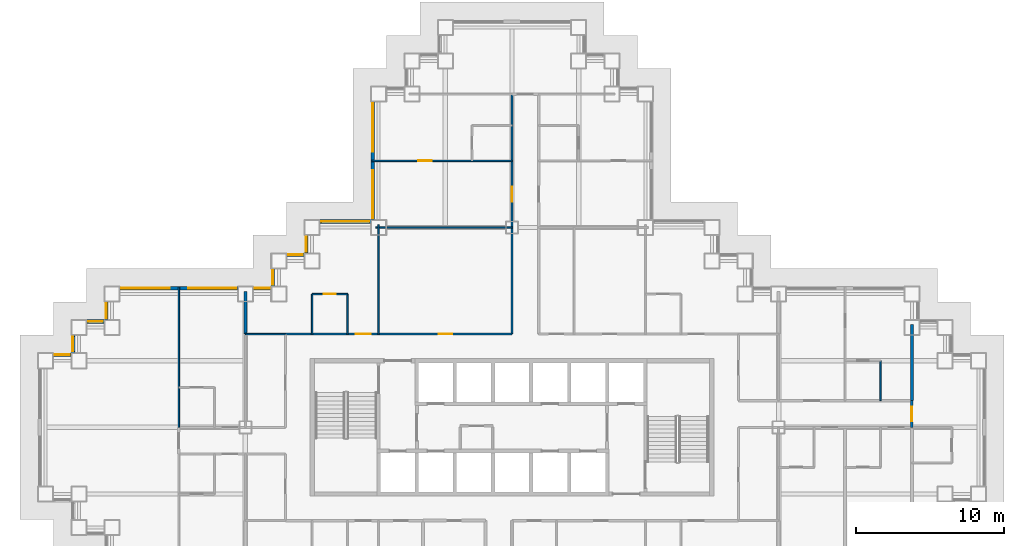
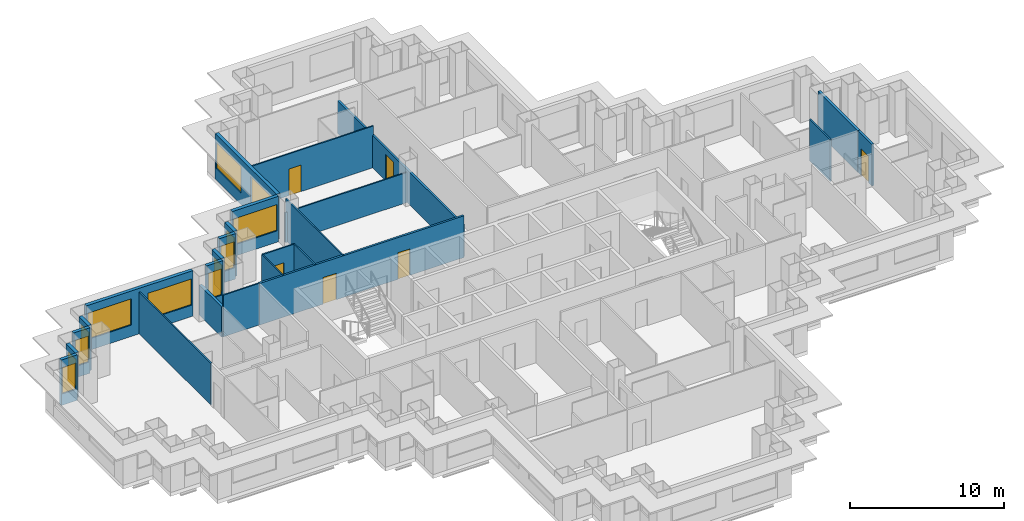
# One storey, part 7 of 14: 25 walls, 13 windows, 6 doors, 19 openings.
"""IFC4 building model written with IfcOpenShell, lengths in metres."""

from ifc_helpers import new_model, si_unit, direction, frame, frame_2d, origin, place, context, subcontext, project, spatial, rectangle, extrude, material, layer, layer_set, type_object, element, fill, save


model = new_model("IFC4")

# Units and contexts
model_context = context("Model", 3, precision=1e-05, world=origin(), true_north=direction((0.0, 1.0)))
body_context = subcontext(model_context, "Body", "Model", "MODEL_VIEW")
ifc_project = project(units=[si_unit("LENGTHUNIT", "METRE"), si_unit("AREAUNIT", "SQUARE_METRE"), si_unit("VOLUMEUNIT", "CUBIC_METRE"), si_unit("PLANEANGLEUNIT", "RADIAN"), si_unit("MASSUNIT", "GRAM", prefix="KILO")], contexts=[model_context])

# Site, building, storey
site_placement = place(None, origin())
site = spatial("IfcSite", under=ifc_project, at=site_placement, CompositionType="ELEMENT")
building_placement = place(site_placement, origin())
building = spatial("IfcBuilding", under=site, at=building_placement, Name="Caravel Reach Hotel and Residences", CompositionType="ELEMENT")
storey_placement = place(building_placement, frame((0.0, 0.0, 40.800048828125)))
storey = spatial("IfcBuildingStorey", under=building, at=storey_placement, Name="L08", CompositionType="ELEMENT", Elevation=40.800048828125)

# Wall, opening, door
ifc_material_1 = material(Name="Gypsum board on steel stud", Category="steel")
ifc_layer_1 = layer(ifc_material_1, 0.10009765625)
ifc_layer_set_1 = layer_set([ifc_layer_1], Name="Bathroom pod wall 100 mm")
wall_type_1 = type_object("IfcWallType", Name="Bathroom pod wall 100 mm", PredefinedType="PARTITIONING", material=ifc_layer_set_1)
wall_1_placement = place(storey_placement, frame((18.0, 36.0, 0.0), z_axis=(0.0, 0.0, 1.0), x_axis=(1.0, 0.0, 0.0)))
wall_1 = element("IfcWall", 1, at=wall_1_placement, inside=storey, type_object=wall_type_1, Name="L08 wall w085", PredefinedType="PARTITIONING", context=body_context, shape_type="SweptSolid", body=[
    extrude(rectangle(XDim=2.39990234375, YDim=0.10009765625, at=frame_2d((1.199951171875, 0.0))), origin(), (0.0, 0.0, 1.0), 3.300048828125),
])
opening_1_placement = place(wall_1_placement, frame((0.800048828125, 0.0, 0.0)))
opening_1 = element("IfcOpeningElement", 2, at=opening_1_placement, cuts=wall_1, Name="Opening D08-042", PredefinedType="OPENING", context=body_context, shape_type="SweptSolid", body=[
    extrude(rectangle(XDim=0.800048828125, YDim=2.10009765625, at=frame_2d((0.39990234375, 1.050048828125))), frame((0.0, 0.06005859375, 0.0), z_axis=(0.0, -1.0, 0.0), x_axis=(1.0, 0.0, 0.0)), (0.0, 0.0, 1.0), 0.1201171875),
])
ifc_material_2 = material(Name="Timber and steel door leaf", Category="steel")
door_type_1 = type_object("IfcDoorType", Name="Bathroom door 800 x 2100", OperationType="SINGLE_SWING_LEFT", PredefinedType="DOOR", material=ifc_material_2)
door_1_placement = place(opening_1_placement, origin())
door_1 = element("IfcDoor", 3, at=door_1_placement, inside=storey, type_object=door_type_1, Name="door D08-042", OperationType="SINGLE_SWING_RIGHT", OverallHeight=2.10009765625, OverallWidth=0.800048828125, PredefinedType="DOOR", context=body_context, shape_type="SweptSolid", body=[
    extrude(rectangle(XDim=0.800048828125, YDim=2.10009765625, at=frame_2d((0.39990234375, 1.050048828125))), frame((0.0, 0.02490234375, 0.0), z_axis=(0.0, -1.0, 0.0), x_axis=(1.0, 0.0, 0.0)), (0.0, 0.0, 1.0), 0.050048828125),
])
fill(opening_1, door_1)

# Walls
for number, where, z_axis, x_axis, name in (
    (4, (18.0, 33.300048828125, 0.0), (0.0, 0.0, 1.0), (0.0, 1.0, 0.0), "L08 wall w091"),
    (5, (20.39990234375, 33.300048828125, 0.0), (0.0, 0.0, 1.0), (0.0, 1.0, 0.0), "L08 wall w093"),
    (6, (56.39990234375, 28.800048828125, 0.0), (0.0, 0.0, 1.0), (0.0, 1.0, 0.0), "L08 wall w103"),
):
    element("IfcWall", number, at=place(storey_placement, frame(where, z_axis=z_axis, x_axis=x_axis)), inside=storey, type_object=wall_type_1, Name=name, PredefinedType="PARTITIONING", context=body_context, shape_type="SweptSolid", body=[
        extrude(rectangle(XDim=2.699951171875, YDim=0.10009765625, at=frame_2d((1.35009765625, 0.0))), origin(), (0.0, 0.0, 1.0), 3.300048828125),
    ])

# Wall, openings, doors
ifc_material_3 = material(Name="Gypsum board on steel stud, fire-rated", Category="steel")
ifc_layer_2 = layer(ifc_material_3, 0.14990234375)
ifc_layer_set_2 = layer_set([ifc_layer_2], Name="Corridor wall 150 mm EI 60")
wall_type_2 = type_object("IfcWallType", Name="Corridor wall 150 mm EI 60", PredefinedType="PARTITIONING", material=ifc_layer_set_2)
wall_2_placement = place(storey_placement, frame((16.199951171875, 33.300048828125, 0.0), z_axis=(0.0, 0.0, 1.0), x_axis=(1.0, 0.0, 0.0)))
wall_2 = element("IfcWall", 7, at=wall_2_placement, inside=storey, type_object=wall_type_2, Name="L08 wall w016", PredefinedType="PARTITIONING", context=body_context, shape_type="SweptSolid", body=[
    extrude(rectangle(XDim=15.300048828125, YDim=0.14990234375, at=frame_2d((7.64990234375, 0.0))), origin(), (0.0, 0.0, 1.0), 3.300048828125),
])
opening_2_placement = place(wall_2_placement, frame((4.75, 0.0, 0.0)))
opening_2 = element("IfcOpeningElement", 8, at=opening_2_placement, cuts=wall_2, Name="Opening D08-041", PredefinedType="OPENING", context=body_context, shape_type="SweptSolid", body=[
    extrude(rectangle(XDim=1.0, YDim=2.10009765625, at=frame_2d((0.5, 1.050048828125))), frame((0.0, 0.0849609375, 0.0), z_axis=(0.0, -1.0, 0.0), x_axis=(1.0, 0.0, 0.0)), (0.0, 0.0, 1.0), 0.169921875),
])
opening_3_placement = place(wall_2_placement, frame((10.35009765625, 0.0, 0.0)))
opening_3 = element("IfcOpeningElement", 9, at=opening_3_placement, cuts=wall_2, Name="Opening D08-049", PredefinedType="OPENING", context=body_context, shape_type="SweptSolid", body=[
    extrude(rectangle(XDim=0.89990234375, YDim=2.10009765625, at=frame_2d((0.449951171875, 1.050048828125))), frame((0.0, 0.0849609375, 0.0), z_axis=(0.0, -1.0, 0.0), x_axis=(1.0, 0.0, 0.0)), (0.0, 0.0, 1.0), 0.169921875),
])
ifc_material_4 = material(Name="Timber and steel door leaf", Category="steel")
door_type_2 = type_object("IfcDoorType", Name="Door 900 x 2100 timber", OperationType="SINGLE_SWING_LEFT", PredefinedType="DOOR", material=ifc_material_4)
door_2_placement = place(opening_3_placement, origin())
door_2 = element("IfcDoor", 10, at=door_2_placement, inside=storey, type_object=door_type_2, Name="door D08-049", OperationType="SINGLE_SWING_RIGHT", OverallHeight=2.10009765625, OverallWidth=0.89990234375, PredefinedType="DOOR", context=body_context, shape_type="SweptSolid", body=[
    extrude(rectangle(XDim=0.89990234375, YDim=2.10009765625, at=frame_2d((0.449951171875, 1.050048828125))), frame((0.0, 0.02490234375, 0.0), z_axis=(0.0, -1.0, 0.0), x_axis=(1.0, 0.0, 0.0)), (0.0, 0.0, 1.0), 0.050048828125),
])
fill(opening_3, door_2)
ifc_material_5 = material(Name="Steel fire door leaf", Category="steel")
door_type_3 = type_object("IfcDoorType", Name="Guest room door 1000 x 2100 EI 30", OperationType="SINGLE_SWING_LEFT", PredefinedType="DOOR", material=ifc_material_5)
door_3_placement = place(opening_2_placement, origin())
door_3 = element("IfcDoor", 11, at=door_3_placement, inside=storey, type_object=door_type_3, Name="door D08-041", OperationType="SINGLE_SWING_RIGHT", OverallHeight=2.10009765625, OverallWidth=1.0, PredefinedType="DOOR", context=body_context, shape_type="SweptSolid", body=[
    extrude(rectangle(XDim=1.0, YDim=2.10009765625, at=frame_2d((0.5, 1.050048828125))), frame((0.0, 0.02490234375, 0.0), z_axis=(0.0, -1.0, 0.0), x_axis=(1.0, 0.0, 0.0)), (0.0, 0.0, 1.0), 0.050048828125),
])
fill(opening_2, door_3)

# Wall, opening, door
wall_3_placement = place(storey_placement, frame((31.5, 33.300048828125, 0.0), z_axis=(0.0, 0.0, 1.0), x_axis=(0.0, 1.0, 0.0)))
wall_3 = element("IfcWall", 12, at=wall_3_placement, inside=storey, type_object=wall_type_2, Name="L08 wall w027", PredefinedType="PARTITIONING", context=body_context, shape_type="SweptSolid", body=[
    extrude(rectangle(XDim=16.199951171875, YDim=0.14990234375, at=frame_2d((8.10009765625, 0.0))), origin(), (0.0, 0.0, 1.0), 2.579833984375),
])
opening_4_placement = place(wall_3_placement, frame((8.949951171875, 0.0, 0.0)))
opening_4 = element("IfcOpeningElement", 13, at=opening_4_placement, cuts=wall_3, Name="Opening D08-026", PredefinedType="OPENING", context=body_context, shape_type="SweptSolid", body=[
    extrude(rectangle(XDim=1.0, YDim=2.10009765625, at=frame_2d((0.5, 1.050048828125))), frame((0.0, 0.0849609375, 0.0), z_axis=(0.0, -1.0, 0.0), x_axis=(1.0, 0.0, 0.0)), (0.0, 0.0, 1.0), 0.169921875),
])
door_4_placement = place(opening_4_placement, origin())
door_4 = element("IfcDoor", 14, at=door_4_placement, inside=storey, type_object=door_type_3, Name="door D08-026", OperationType="SINGLE_SWING_RIGHT", OverallHeight=2.10009765625, OverallWidth=1.0, PredefinedType="DOOR", context=body_context, shape_type="SweptSolid", body=[
    extrude(rectangle(XDim=1.0, YDim=2.10009765625, at=frame_2d((0.5, 1.050048828125))), frame((0.0, 0.02490234375, 0.0), z_axis=(0.0, -1.0, 0.0), x_axis=(1.0, 0.0, 0.0)), (0.0, 0.0, 1.0), 0.050048828125),
])
fill(opening_4, door_4)

wall_4_placement = place(storey_placement, frame((58.5, 27.0, 0.0), z_axis=(0.0, 0.0, 1.0), x_axis=(0.0, 1.0, 0.0)))
wall_4 = element("IfcWall", 15, at=wall_4_placement, inside=storey, type_object=wall_type_2, Name="L08 wall w036", PredefinedType="PARTITIONING", context=body_context, shape_type="SweptSolid", body=[
    extrude(rectangle(XDim=1.800048828125, YDim=0.14990234375, at=frame_2d((0.89990234375, 0.0))), origin(), (0.0, 0.0, 1.0), 3.300048828125),
])
opening_5_placement = place(wall_4_placement, frame((0.39990234375, 0.0, 0.0)))
opening_5 = element("IfcOpeningElement", 16, at=opening_5_placement, cuts=wall_4, Name="Opening D08-037", PredefinedType="OPENING", context=body_context, shape_type="SweptSolid", body=[
    extrude(rectangle(XDim=1.0, YDim=2.10009765625, at=frame_2d((0.5, 1.050048828125))), frame((0.0, 0.0849609375, 0.0), z_axis=(0.0, -1.0, 0.0), x_axis=(1.0, 0.0, 0.0)), (0.0, 0.0, 1.0), 0.169921875),
])
door_5_placement = place(opening_5_placement, origin())
door_5 = element("IfcDoor", 17, at=door_5_placement, inside=storey, type_object=door_type_3, Name="door D08-037", OperationType="SINGLE_SWING_RIGHT", OverallHeight=2.10009765625, OverallWidth=1.0, PredefinedType="DOOR", context=body_context, shape_type="SweptSolid", body=[
    extrude(rectangle(XDim=1.0, YDim=2.10009765625, at=frame_2d((0.5, 1.050048828125))), frame((0.0, 0.02490234375, 0.0), z_axis=(0.0, -1.0, 0.0), x_axis=(1.0, 0.0, 0.0)), (0.0, 0.0, 1.0), 0.050048828125),
])
fill(opening_5, door_5)

# Wall, openings, windows
ifc_material_6 = material(Name="Insulated rainscreen wall, aluminium cladding", Category="aluminium")
ifc_layer_3 = layer(ifc_material_6, 0.25)
ifc_layer_set_3 = layer_set([ifc_layer_3], Name="EW1 Tower rainscreen wall")
wall_type_3 = type_object("IfcWallType", Name="EW1 Tower rainscreen wall", PredefinedType="SOLIDWALL", material=ifc_layer_set_3)
wall_5_placement = place(storey_placement, frame((22.10009765625, 48.97509765625, 0.0), z_axis=(0.0, 0.0, 1.0), x_axis=(0.0, -1.0, 0.0)))
wall_5 = element("IfcWall", 18, at=wall_5_placement, inside=storey, type_object=wall_type_3, Name="External wall L08 W40.1", PredefinedType="SOLIDWALL", context=body_context, shape_type="SweptSolid", body=[
    extrude(rectangle(XDim=7.9501953125, YDim=0.25, at=frame_2d((3.97509765625, 0.0))), origin(), (0.0, 0.0, 1.0), 3.599853515625),
])
opening_6_placement = place(wall_5_placement, frame((0.10009765625, 0.0, 0.89990234375)))
opening_6 = element("IfcOpeningElement", 19, at=opening_6_placement, cuts=wall_5, Name="Opening WN2", PredefinedType="OPENING", context=body_context, shape_type="SweptSolid", body=[
    extrude(rectangle(XDim=3.25, YDim=2.080078125, at=frame_2d((1.625, 1.0400390625))), frame((0.0, 0.135009765625, 0.0), z_axis=(0.0, -1.0, 0.0), x_axis=(1.0, 0.0, 0.0)), (0.0, 0.0, 1.0), 0.27001953125),
])
opening_7_placement = place(wall_5_placement, frame((4.60009765625, 0.0, 0.89990234375)))
opening_7 = element("IfcOpeningElement", 20, at=opening_7_placement, cuts=wall_5, Name="Opening WN2", PredefinedType="OPENING", context=body_context, shape_type="SweptSolid", body=[
    extrude(rectangle(XDim=3.25, YDim=2.080078125, at=frame_2d((1.625, 1.0400390625))), frame((0.0, 0.135009765625, 0.0), z_axis=(0.0, -1.0, 0.0), x_axis=(1.0, 0.0, 0.0)), (0.0, 0.0, 1.0), 0.27001953125),
])
ifc_material_7 = material(Name="Dark low-e glazing in black aluminium frame", Category="aluminium")
window_type_1 = type_object("IfcWindowType", Name="Hotel guest room window 3250 x 2080", PartitioningType="SINGLE_PANEL", PredefinedType="WINDOW", material=ifc_material_7)
window_1_placement = place(opening_6_placement, origin())
window_1 = element("IfcWindow", 21, at=window_1_placement, inside=storey, type_object=window_type_1, Name="Window L08 W40.1.1", OverallHeight=2.080078125, OverallWidth=3.25, PartitioningType="SINGLE_PANEL", PredefinedType="WINDOW", context=body_context, shape_type="SweptSolid", body=[
    extrude(rectangle(XDim=3.25, YDim=2.080078125, at=frame_2d((1.625, 1.0400390625))), frame((0.0, 0.030029296875, 0.0), z_axis=(0.0, -1.0, 0.0), x_axis=(1.0, 0.0, 0.0)), (0.0, 0.0, 1.0), 0.06005859375),
])
fill(opening_6, window_1)
window_2_placement = place(opening_7_placement, origin())
window_2 = element("IfcWindow", 22, at=window_2_placement, inside=storey, type_object=window_type_1, Name="Window L08 W40.1.2", OverallHeight=2.080078125, OverallWidth=3.25, PartitioningType="SINGLE_PANEL", PredefinedType="WINDOW", context=body_context, shape_type="SweptSolid", body=[
    extrude(rectangle(XDim=3.25, YDim=2.080078125, at=frame_2d((1.625, 1.0400390625))), frame((0.0, 0.030029296875, 0.0), z_axis=(0.0, -1.0, 0.0), x_axis=(1.0, 0.0, 0.0)), (0.0, 0.0, 1.0), 0.06005859375),
])
fill(opening_7, window_2)

# Wall, opening, window
wall_6_placement = place(storey_placement, frame((21.97509765625, 40.89990234375, 0.0), z_axis=(0.0, 0.0, 1.0), x_axis=(-1.0, 0.0, 0.0)))
wall_6 = element("IfcWall", 23, at=wall_6_placement, inside=storey, type_object=wall_type_3, Name="External wall L08 N41.1", PredefinedType="SOLIDWALL", context=body_context, shape_type="SweptSolid", body=[
    extrude(rectangle(XDim=3.4501953125, YDim=0.25, at=frame_2d((1.72509765625, 0.0))), origin(), (0.0, 0.0, 1.0), 3.599853515625),
])
opening_8_placement = place(wall_6_placement, frame((0.10009765625, 0.0, 0.89990234375)))
opening_8 = element("IfcOpeningElement", 24, at=opening_8_placement, cuts=wall_6, Name="Opening WN2", PredefinedType="OPENING", context=body_context, shape_type="SweptSolid", body=[
    extrude(rectangle(XDim=3.25, YDim=2.080078125, at=frame_2d((1.625, 1.0400390625))), frame((0.0, 0.135009765625, 0.0), z_axis=(0.0, -1.0, 0.0), x_axis=(1.0, 0.0, 0.0)), (0.0, 0.0, 1.0), 0.27001953125),
])
window_3_placement = place(opening_8_placement, origin())
window_3 = element("IfcWindow", 25, at=window_3_placement, inside=storey, type_object=window_type_1, Name="Window L08 N41.1.1", OverallHeight=2.080078125, OverallWidth=3.25, PartitioningType="SINGLE_PANEL", PredefinedType="WINDOW", context=body_context, shape_type="SweptSolid", body=[
    extrude(rectangle(XDim=3.25, YDim=2.080078125, at=frame_2d((1.625, 1.0400390625))), frame((0.0, 0.030029296875, 0.0), z_axis=(0.0, -1.0, 0.0), x_axis=(1.0, 0.0, 0.0)), (0.0, 0.0, 1.0), 0.06005859375),
])
fill(opening_8, window_3)

wall_7_placement = place(storey_placement, frame((17.60009765625, 39.97509765625, 0.0), z_axis=(0.0, 0.0, 1.0), x_axis=(0.0, -1.0, 0.0)))
wall_7 = element("IfcWall", 26, at=wall_7_placement, inside=storey, type_object=wall_type_3, Name="External wall L08 W42.1", PredefinedType="SOLIDWALL", context=body_context, shape_type="SweptSolid", body=[
    extrude(rectangle(XDim=1.2001953125, YDim=0.25, at=frame_2d((0.60009765625, 0.0))), origin(), (0.0, 0.0, 1.0), 3.599853515625),
])
opening_9_placement = place(wall_7_placement, frame((0.10009765625, 0.0, 0.89990234375)))
opening_9 = element("IfcOpeningElement", 27, at=opening_9_placement, cuts=wall_7, Name="Opening WN1", PredefinedType="OPENING", context=body_context, shape_type="SweptSolid", body=[
    extrude(rectangle(XDim=1.0, YDim=2.080078125, at=frame_2d((0.5, 1.0400390625))), frame((0.0, 0.135009765625, 0.0), z_axis=(0.0, -1.0, 0.0), x_axis=(1.0, 0.0, 0.0)), (0.0, 0.0, 1.0), 0.27001953125),
])
ifc_material_8 = material(Name="Dark low-e glazing in black aluminium frame", Category="aluminium")
window_type_2 = type_object("IfcWindowType", Name="Hotel suite corner window 1000 x 2080", PartitioningType="SINGLE_PANEL", PredefinedType="WINDOW", material=ifc_material_8)
window_4_placement = place(opening_9_placement, origin())
window_4 = element("IfcWindow", 28, at=window_4_placement, inside=storey, type_object=window_type_2, Name="Window L08 W42.1.1", OverallHeight=2.080078125, OverallWidth=1.0, PartitioningType="SINGLE_PANEL", PredefinedType="WINDOW", context=body_context, shape_type="SweptSolid", body=[
    extrude(rectangle(XDim=1.0, YDim=2.080078125, at=frame_2d((0.5, 1.0400390625))), frame((0.0, 0.030029296875, 0.0), z_axis=(0.0, -1.0, 0.0), x_axis=(1.0, 0.0, 0.0)), (0.0, 0.0, 1.0), 0.06005859375),
])
fill(opening_9, window_4)

wall_8_placement = place(storey_placement, frame((17.47509765625, 38.64990234375, 0.0), z_axis=(0.0, 0.0, 1.0), x_axis=(-1.0, 0.0, 0.0)))
wall_8 = element("IfcWall", 29, at=wall_8_placement, inside=storey, type_object=wall_type_3, Name="External wall L08 N43.1", PredefinedType="SOLIDWALL", context=body_context, shape_type="SweptSolid", body=[
    extrude(rectangle(XDim=1.2001953125, YDim=0.25, at=frame_2d((0.60009765625, 0.0))), origin(), (0.0, 0.0, 1.0), 3.599853515625),
])
opening_10_placement = place(wall_8_placement, frame((0.10009765625, 0.0, 0.89990234375)))
opening_10 = element("IfcOpeningElement", 30, at=opening_10_placement, cuts=wall_8, Name="Opening WN1", PredefinedType="OPENING", context=body_context, shape_type="SweptSolid", body=[
    extrude(rectangle(XDim=1.0, YDim=2.080078125, at=frame_2d((0.5, 1.0400390625))), frame((0.0, 0.135009765625, 0.0), z_axis=(0.0, -1.0, 0.0), x_axis=(1.0, 0.0, 0.0)), (0.0, 0.0, 1.0), 0.27001953125),
])
window_5_placement = place(opening_10_placement, origin())
window_5 = element("IfcWindow", 31, at=window_5_placement, inside=storey, type_object=window_type_2, Name="Window L08 N43.1.1", OverallHeight=2.080078125, OverallWidth=1.0, PartitioningType="SINGLE_PANEL", PredefinedType="WINDOW", context=body_context, shape_type="SweptSolid", body=[
    extrude(rectangle(XDim=1.0, YDim=2.080078125, at=frame_2d((0.5, 1.0400390625))), frame((0.0, 0.030029296875, 0.0), z_axis=(0.0, -1.0, 0.0), x_axis=(1.0, 0.0, 0.0)), (0.0, 0.0, 1.0), 0.06005859375),
])
fill(opening_10, window_5)

wall_9_placement = place(storey_placement, frame((15.35009765625, 37.72509765625, 0.0), z_axis=(0.0, 0.0, 1.0), x_axis=(0.0, -1.0, 0.0)))
wall_9 = element("IfcWall", 32, at=wall_9_placement, inside=storey, type_object=wall_type_3, Name="External wall L08 W44.1", PredefinedType="SOLIDWALL", context=body_context, shape_type="SweptSolid", body=[
    extrude(rectangle(XDim=1.2001953125, YDim=0.25, at=frame_2d((0.60009765625, 0.0))), origin(), (0.0, 0.0, 1.0), 3.599853515625),
])
opening_11_placement = place(wall_9_placement, frame((0.10009765625, 0.0, 0.89990234375)))
opening_11 = element("IfcOpeningElement", 33, at=opening_11_placement, cuts=wall_9, Name="Opening WN1", PredefinedType="OPENING", context=body_context, shape_type="SweptSolid", body=[
    extrude(rectangle(XDim=1.0, YDim=2.080078125, at=frame_2d((0.5, 1.0400390625))), frame((0.0, 0.135009765625, 0.0), z_axis=(0.0, -1.0, 0.0), x_axis=(1.0, 0.0, 0.0)), (0.0, 0.0, 1.0), 0.27001953125),
])
window_6_placement = place(opening_11_placement, origin())
window_6 = element("IfcWindow", 34, at=window_6_placement, inside=storey, type_object=window_type_2, Name="Window L08 W44.1.1", OverallHeight=2.080078125, OverallWidth=1.0, PartitioningType="SINGLE_PANEL", PredefinedType="WINDOW", context=body_context, shape_type="SweptSolid", body=[
    extrude(rectangle(XDim=1.0, YDim=2.080078125, at=frame_2d((0.5, 1.0400390625))), frame((0.0, 0.030029296875, 0.0), z_axis=(0.0, -1.0, 0.0), x_axis=(1.0, 0.0, 0.0)), (0.0, 0.0, 1.0), 0.06005859375),
])
fill(opening_11, window_6)

wall_10_placement = place(storey_placement, frame((15.22509765625, 36.39990234375, 0.0), z_axis=(0.0, 0.0, 1.0), x_axis=(-1.0, 0.0, 0.0)))
wall_10 = element("IfcWall", 35, at=wall_10_placement, inside=storey, type_object=wall_type_3, Name="External wall L08 N45.1", PredefinedType="SOLIDWALL", context=body_context, shape_type="SweptSolid", body=[
    extrude(rectangle(XDim=1.2001953125, YDim=0.25, at=frame_2d((0.60009765625, 0.0))), origin(), (0.0, 0.0, 1.0), 3.599853515625),
])
opening_12_placement = place(wall_10_placement, frame((0.10009765625, 0.0, 0.89990234375)))
opening_12 = element("IfcOpeningElement", 36, at=opening_12_placement, cuts=wall_10, Name="Opening WN1", PredefinedType="OPENING", context=body_context, shape_type="SweptSolid", body=[
    extrude(rectangle(XDim=1.0, YDim=2.080078125, at=frame_2d((0.5, 1.0400390625))), frame((0.0, 0.135009765625, 0.0), z_axis=(0.0, -1.0, 0.0), x_axis=(1.0, 0.0, 0.0)), (0.0, 0.0, 1.0), 0.27001953125),
])
window_7_placement = place(opening_12_placement, origin())
window_7 = element("IfcWindow", 37, at=window_7_placement, inside=storey, type_object=window_type_2, Name="Window L08 N45.1.1", OverallHeight=2.080078125, OverallWidth=1.0, PartitioningType="SINGLE_PANEL", PredefinedType="WINDOW", context=body_context, shape_type="SweptSolid", body=[
    extrude(rectangle(XDim=1.0, YDim=2.080078125, at=frame_2d((0.5, 1.0400390625))), frame((0.0, 0.030029296875, 0.0), z_axis=(0.0, -1.0, 0.0), x_axis=(1.0, 0.0, 0.0)), (0.0, 0.0, 1.0), 0.06005859375),
])
fill(opening_12, window_7)

# Wall, openings, windows
wall_11_placement = place(storey_placement, frame((12.97509765625, 36.39990234375, 0.0), z_axis=(0.0, 0.0, 1.0), x_axis=(-1.0, 0.0, 0.0)))
wall_11 = element("IfcWall", 38, at=wall_11_placement, inside=storey, type_object=wall_type_3, Name="External wall L08 N45.2", PredefinedType="SOLIDWALL", context=body_context, shape_type="SweptSolid", body=[
    extrude(rectangle(XDim=7.9501953125, YDim=0.25, at=frame_2d((3.97509765625, 0.0))), origin(), (0.0, 0.0, 1.0), 3.599853515625),
])
opening_13_placement = place(wall_11_placement, frame((0.10009765625, 0.0, 0.89990234375)))
opening_13 = element("IfcOpeningElement", 39, at=opening_13_placement, cuts=wall_11, Name="Opening WN2", PredefinedType="OPENING", context=body_context, shape_type="SweptSolid", body=[
    extrude(rectangle(XDim=3.25, YDim=2.080078125, at=frame_2d((1.625, 1.0400390625))), frame((0.0, 0.135009765625, 0.0), z_axis=(0.0, -1.0, 0.0), x_axis=(1.0, 0.0, 0.0)), (0.0, 0.0, 1.0), 0.27001953125),
])
opening_14_placement = place(wall_11_placement, frame((4.60009765625, 0.0, 0.89990234375)))
opening_14 = element("IfcOpeningElement", 40, at=opening_14_placement, cuts=wall_11, Name="Opening WN2", PredefinedType="OPENING", context=body_context, shape_type="SweptSolid", body=[
    extrude(rectangle(XDim=3.25, YDim=2.080078125, at=frame_2d((1.625, 1.0400390625))), frame((0.0, 0.135009765625, 0.0), z_axis=(0.0, -1.0, 0.0), x_axis=(1.0, 0.0, 0.0)), (0.0, 0.0, 1.0), 0.27001953125),
])
window_8_placement = place(opening_13_placement, origin())
window_8 = element("IfcWindow", 41, at=window_8_placement, inside=storey, type_object=window_type_1, Name="Window L08 N45.2.1", OverallHeight=2.080078125, OverallWidth=3.25, PartitioningType="SINGLE_PANEL", PredefinedType="WINDOW", context=body_context, shape_type="SweptSolid", body=[
    extrude(rectangle(XDim=3.25, YDim=2.080078125, at=frame_2d((1.625, 1.0400390625))), frame((0.0, 0.030029296875, 0.0), z_axis=(0.0, -1.0, 0.0), x_axis=(1.0, 0.0, 0.0)), (0.0, 0.0, 1.0), 0.06005859375),
])
fill(opening_13, window_8)
window_9_placement = place(opening_14_placement, origin())
window_9 = element("IfcWindow", 42, at=window_9_placement, inside=storey, type_object=window_type_1, Name="Window L08 N45.2.2", OverallHeight=2.080078125, OverallWidth=3.25, PartitioningType="SINGLE_PANEL", PredefinedType="WINDOW", context=body_context, shape_type="SweptSolid", body=[
    extrude(rectangle(XDim=3.25, YDim=2.080078125, at=frame_2d((1.625, 1.0400390625))), frame((0.0, 0.030029296875, 0.0), z_axis=(0.0, -1.0, 0.0), x_axis=(1.0, 0.0, 0.0)), (0.0, 0.0, 1.0), 0.06005859375),
])
fill(opening_14, window_9)

# Wall, opening, window
wall_12_placement = place(storey_placement, frame((4.10009765625, 35.47509765625, 0.0), z_axis=(0.0, 0.0, 1.0), x_axis=(0.0, -1.0, 0.0)))
wall_12 = element("IfcWall", 43, at=wall_12_placement, inside=storey, type_object=wall_type_3, Name="External wall L08 W46.1", PredefinedType="SOLIDWALL", context=body_context, shape_type="SweptSolid", body=[
    extrude(rectangle(XDim=1.2001953125, YDim=0.25, at=frame_2d((0.60009765625, 0.0))), origin(), (0.0, 0.0, 1.0), 3.599853515625),
])
opening_15_placement = place(wall_12_placement, frame((0.10009765625, 0.0, 0.89990234375)))
opening_15 = element("IfcOpeningElement", 44, at=opening_15_placement, cuts=wall_12, Name="Opening WN1", PredefinedType="OPENING", context=body_context, shape_type="SweptSolid", body=[
    extrude(rectangle(XDim=1.0, YDim=2.080078125, at=frame_2d((0.5, 1.0400390625))), frame((0.0, 0.135009765625, 0.0), z_axis=(0.0, -1.0, 0.0), x_axis=(1.0, 0.0, 0.0)), (0.0, 0.0, 1.0), 0.27001953125),
])
window_10_placement = place(opening_15_placement, origin())
window_10 = element("IfcWindow", 45, at=window_10_placement, inside=storey, type_object=window_type_2, Name="Window L08 W46.1.1", OverallHeight=2.080078125, OverallWidth=1.0, PartitioningType="SINGLE_PANEL", PredefinedType="WINDOW", context=body_context, shape_type="SweptSolid", body=[
    extrude(rectangle(XDim=1.0, YDim=2.080078125, at=frame_2d((0.5, 1.0400390625))), frame((0.0, 0.030029296875, 0.0), z_axis=(0.0, -1.0, 0.0), x_axis=(1.0, 0.0, 0.0)), (0.0, 0.0, 1.0), 0.06005859375),
])
fill(opening_15, window_10)

wall_13_placement = place(storey_placement, frame((3.97509765625, 34.14990234375, 0.0), z_axis=(0.0, 0.0, 1.0), x_axis=(-1.0, 0.0, 0.0)))
wall_13 = element("IfcWall", 46, at=wall_13_placement, inside=storey, type_object=wall_type_3, Name="External wall L08 N47.1", PredefinedType="SOLIDWALL", context=body_context, shape_type="SweptSolid", body=[
    extrude(rectangle(XDim=1.2001953125, YDim=0.25, at=frame_2d((0.60009765625, 0.0))), origin(), (0.0, 0.0, 1.0), 3.599853515625),
])
opening_16_placement = place(wall_13_placement, frame((0.10009765625, 0.0, 0.89990234375)))
opening_16 = element("IfcOpeningElement", 47, at=opening_16_placement, cuts=wall_13, Name="Opening WN1", PredefinedType="OPENING", context=body_context, shape_type="SweptSolid", body=[
    extrude(rectangle(XDim=1.0, YDim=2.080078125, at=frame_2d((0.5, 1.0400390625))), frame((0.0, 0.135009765625, 0.0), z_axis=(0.0, -1.0, 0.0), x_axis=(1.0, 0.0, 0.0)), (0.0, 0.0, 1.0), 0.27001953125),
])
window_11_placement = place(opening_16_placement, origin())
window_11 = element("IfcWindow", 48, at=window_11_placement, inside=storey, type_object=window_type_2, Name="Window L08 N47.1.1", OverallHeight=2.080078125, OverallWidth=1.0, PartitioningType="SINGLE_PANEL", PredefinedType="WINDOW", context=body_context, shape_type="SweptSolid", body=[
    extrude(rectangle(XDim=1.0, YDim=2.080078125, at=frame_2d((0.5, 1.0400390625))), frame((0.0, 0.030029296875, 0.0), z_axis=(0.0, -1.0, 0.0), x_axis=(1.0, 0.0, 0.0)), (0.0, 0.0, 1.0), 0.06005859375),
])
fill(opening_16, window_11)

wall_14_placement = place(storey_placement, frame((1.85009765625, 33.22509765625, 0.0), z_axis=(0.0, 0.0, 1.0), x_axis=(0.0, -1.0, 0.0)))
wall_14 = element("IfcWall", 49, at=wall_14_placement, inside=storey, type_object=wall_type_3, Name="External wall L08 W48.1", PredefinedType="SOLIDWALL", context=body_context, shape_type="SweptSolid", body=[
    extrude(rectangle(XDim=1.2001953125, YDim=0.25, at=frame_2d((0.60009765625, 0.0))), origin(), (0.0, 0.0, 1.0), 3.599853515625),
])
opening_17_placement = place(wall_14_placement, frame((0.10009765625, 0.0, 0.89990234375)))
opening_17 = element("IfcOpeningElement", 50, at=opening_17_placement, cuts=wall_14, Name="Opening WN1", PredefinedType="OPENING", context=body_context, shape_type="SweptSolid", body=[
    extrude(rectangle(XDim=1.0, YDim=2.080078125, at=frame_2d((0.5, 1.0400390625))), frame((0.0, 0.135009765625, 0.0), z_axis=(0.0, -1.0, 0.0), x_axis=(1.0, 0.0, 0.0)), (0.0, 0.0, 1.0), 0.27001953125),
])
window_12_placement = place(opening_17_placement, origin())
window_12 = element("IfcWindow", 51, at=window_12_placement, inside=storey, type_object=window_type_2, Name="Window L08 W48.1.1", OverallHeight=2.080078125, OverallWidth=1.0, PartitioningType="SINGLE_PANEL", PredefinedType="WINDOW", context=body_context, shape_type="SweptSolid", body=[
    extrude(rectangle(XDim=1.0, YDim=2.080078125, at=frame_2d((0.5, 1.0400390625))), frame((0.0, 0.030029296875, 0.0), z_axis=(0.0, -1.0, 0.0), x_axis=(1.0, 0.0, 0.0)), (0.0, 0.0, 1.0), 0.06005859375),
])
fill(opening_17, window_12)

wall_15_placement = place(storey_placement, frame((1.72509765625, 31.89990234375, 0.0), z_axis=(0.0, 0.0, 1.0), x_axis=(-1.0, 0.0, 0.0)))
wall_15 = element("IfcWall", 52, at=wall_15_placement, inside=storey, type_object=wall_type_3, Name="External wall L08 N49.1", PredefinedType="SOLIDWALL", context=body_context, shape_type="SweptSolid", body=[
    extrude(rectangle(XDim=1.2001953125, YDim=0.25, at=frame_2d((0.60009765625, 0.0))), origin(), (0.0, 0.0, 1.0), 3.599853515625),
])
opening_18_placement = place(wall_15_placement, frame((0.10009765625, 0.0, 0.89990234375)))
opening_18 = element("IfcOpeningElement", 53, at=opening_18_placement, cuts=wall_15, Name="Opening WN1", PredefinedType="OPENING", context=body_context, shape_type="SweptSolid", body=[
    extrude(rectangle(XDim=1.0, YDim=2.080078125, at=frame_2d((0.5, 1.0400390625))), frame((0.0, 0.135009765625, 0.0), z_axis=(0.0, -1.0, 0.0), x_axis=(1.0, 0.0, 0.0)), (0.0, 0.0, 1.0), 0.27001953125),
])
window_13_placement = place(opening_18_placement, origin())
window_13 = element("IfcWindow", 54, at=window_13_placement, inside=storey, type_object=window_type_2, Name="Window L08 N49.1.1", OverallHeight=2.080078125, OverallWidth=1.0, PartitioningType="SINGLE_PANEL", PredefinedType="WINDOW", context=body_context, shape_type="SweptSolid", body=[
    extrude(rectangle(XDim=1.0, YDim=2.080078125, at=frame_2d((0.5, 1.0400390625))), frame((0.0, 0.030029296875, 0.0), z_axis=(0.0, -1.0, 0.0), x_axis=(1.0, 0.0, 0.0)), (0.0, 0.0, 1.0), 0.06005859375),
])
fill(opening_18, window_13)

# Walls
ifc_material_9 = material(Name="Gypsum board on steel stud", Category="steel")
ifc_layer_4 = layer(ifc_material_9, 0.10009765625)
ifc_layer_set_4 = layer_set([ifc_layer_4], Name="Partition 100 mm")
wall_type_4 = type_object("IfcWallType", Name="Partition 100 mm", PredefinedType="PARTITIONING", material=ifc_layer_set_4)
wall_16_placement = place(storey_placement, frame((13.5, 33.300048828125, 0.0), z_axis=(0.0, 0.0, 1.0), x_axis=(1.0, 0.0, 0.0)))
element("IfcWall", 55, at=wall_16_placement, inside=storey, type_object=wall_type_4, Name="L08 wall w043", PredefinedType="PARTITIONING", context=body_context, shape_type="SweptSolid", body=[
    extrude(rectangle(XDim=2.699951171875, YDim=0.10009765625, at=frame_2d((1.35009765625, 0.0))), origin(), (0.0, 0.0, 1.0), 3.300048828125),
])
wall_17_placement = place(storey_placement, frame((22.31005859375, 40.5, 0.0), z_axis=(0.0, 0.0, 1.0), x_axis=(1.0, 0.0, 0.0)))
element("IfcWall", 56, at=wall_17_placement, inside=storey, type_object=wall_type_4, Name="L08 wall w047", PredefinedType="PARTITIONING", context=body_context, shape_type="SweptSolid", body=[
    extrude(rectangle(XDim=9.18994140625, YDim=0.10009765625, at=frame_2d((4.594970703125, 0.0))), origin(), (0.0, 0.0, 1.0), 2.3798828125),
])

# Wall, opening, door
wall_18_placement = place(storey_placement, frame((22.034912109375, 45.0, 0.0), z_axis=(0.0, 0.0, 1.0), x_axis=(1.0, 0.0, 0.0)))
wall_18 = element("IfcWall", 57, at=wall_18_placement, inside=storey, type_object=wall_type_4, Name="L08 wall w049", PredefinedType="PARTITIONING", context=body_context, shape_type="SweptSolid", body=[
    extrude(rectangle(XDim=9.465087890625, YDim=0.10009765625, at=frame_2d((4.732421875, 0.0))), origin(), (0.0, 0.0, 1.0), 3.300048828125),
])
opening_19_placement = place(wall_18_placement, frame((3.14990234375, 0.0, 0.0)))
opening_19 = element("IfcOpeningElement", 58, at=opening_19_placement, cuts=wall_18, Name="Opening D08-027", PredefinedType="OPENING", context=body_context, shape_type="SweptSolid", body=[
    extrude(rectangle(XDim=0.89990234375, YDim=2.10009765625, at=frame_2d((0.449951171875, 1.050048828125))), frame((0.0, 0.06005859375, 0.0), z_axis=(0.0, -1.0, 0.0), x_axis=(1.0, 0.0, 0.0)), (0.0, 0.0, 1.0), 0.1201171875),
])
door_6_placement = place(opening_19_placement, origin())
door_6 = element("IfcDoor", 59, at=door_6_placement, inside=storey, type_object=door_type_2, Name="door D08-027", OperationType="SINGLE_SWING_LEFT", OverallHeight=2.10009765625, OverallWidth=0.89990234375, PredefinedType="DOOR", context=body_context, shape_type="SweptSolid", body=[
    extrude(rectangle(XDim=0.89990234375, YDim=2.10009765625, at=frame_2d((0.449951171875, 1.050048828125))), frame((0.0, 0.02490234375, 0.0), z_axis=(0.0, -1.0, 0.0), x_axis=(1.0, 0.0, 0.0)), (0.0, 0.0, 1.0), 0.050048828125),
])
fill(opening_19, door_6)

# Walls
wall_19_placement = place(storey_placement, frame((22.5, 33.300048828125, 0.0), z_axis=(0.0, 0.0, 1.0), x_axis=(0.0, 1.0, 0.0)))
element("IfcWall", 60, at=wall_19_placement, inside=storey, type_object=wall_type_4, Name="L08 wall w056", PredefinedType="PARTITIONING", context=body_context, shape_type="SweptSolid", body=[
    extrude(rectangle(XDim=7.389892578125, YDim=0.10009765625, at=frame_2d((3.69482421875, 0.0))), origin(), (0.0, 0.0, 1.0), 3.300048828125),
])
wall_20_placement = place(storey_placement, frame((9.0, 27.0, 0.0), z_axis=(0.0, 0.0, 1.0), x_axis=(0.0, 1.0, 0.0)))
element("IfcWall", 61, at=wall_20_placement, inside=storey, type_object=wall_type_4, Name="L08 wall w065", PredefinedType="PARTITIONING", context=body_context, shape_type="SweptSolid", body=[
    extrude(rectangle(XDim=9.465087890625, YDim=0.10009765625, at=frame_2d((4.732421875, 0.0))), origin(), (0.0, 0.0, 1.0), 3.300048828125),
])
ifc_material_10 = material(Name="Autoclaved aerated block wall")
ifc_layer_5 = layer(ifc_material_10, 0.199951171875)
ifc_layer_set_5 = layer_set([ifc_layer_5], Name="Party wall 200 mm EI 60")
wall_type_5 = type_object("IfcWallType", Name="Party wall 200 mm EI 60", PredefinedType="PARTITIONING", material=ifc_layer_set_5)
wall_21_placement = place(storey_placement, frame((13.5, 33.300048828125, 0.0), z_axis=(0.0, 0.0, 1.0), x_axis=(0.0, 1.0, 0.0)))
element("IfcWall", 62, at=wall_21_placement, inside=storey, type_object=wall_type_5, Name="L08 wall w067", PredefinedType="PARTITIONING", context=body_context, shape_type="SweptSolid", body=[
    extrude(rectangle(XDim=2.889892578125, YDim=0.199951171875, at=frame_2d((1.44482421875, 0.0))), origin(), (0.0, 0.0, 1.0), 2.3798828125),
])
wall_22_placement = place(storey_placement, frame((58.5, 28.800048828125, 0.0), z_axis=(0.0, 0.0, 1.0), x_axis=(0.0, 1.0, 0.0)))
element("IfcWall", 63, at=wall_22_placement, inside=storey, type_object=wall_type_5, Name="L08 wall w073", PredefinedType="PARTITIONING", context=body_context, shape_type="SweptSolid", body=[
    extrude(rectangle(XDim=5.139892578125, YDim=0.199951171875, at=frame_2d((2.56982421875, 0.0))), origin(), (0.0, 0.0, 1.0), 3.300048828125),
])

save(model, "model.ifc")
